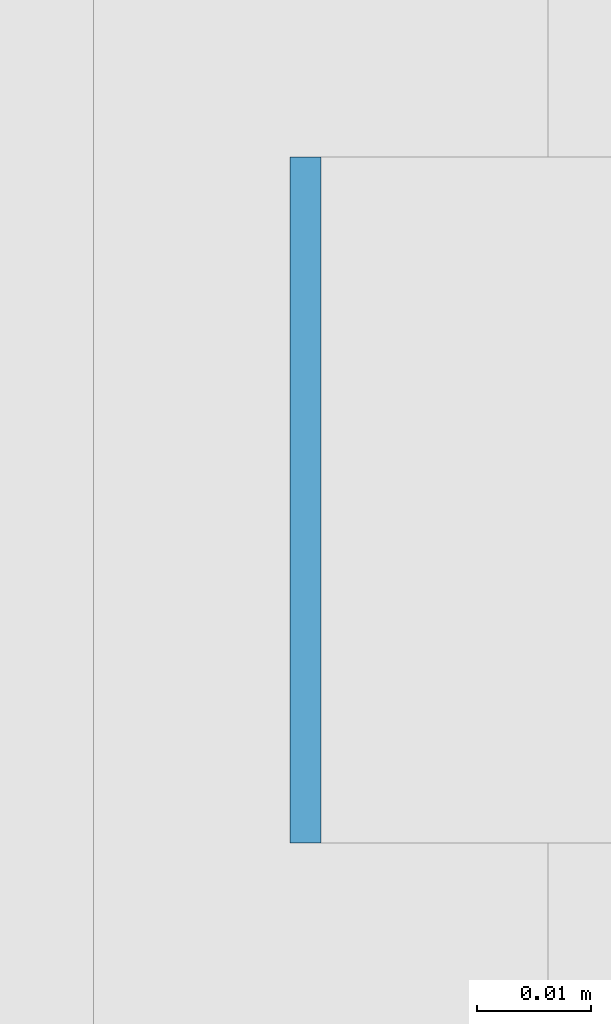
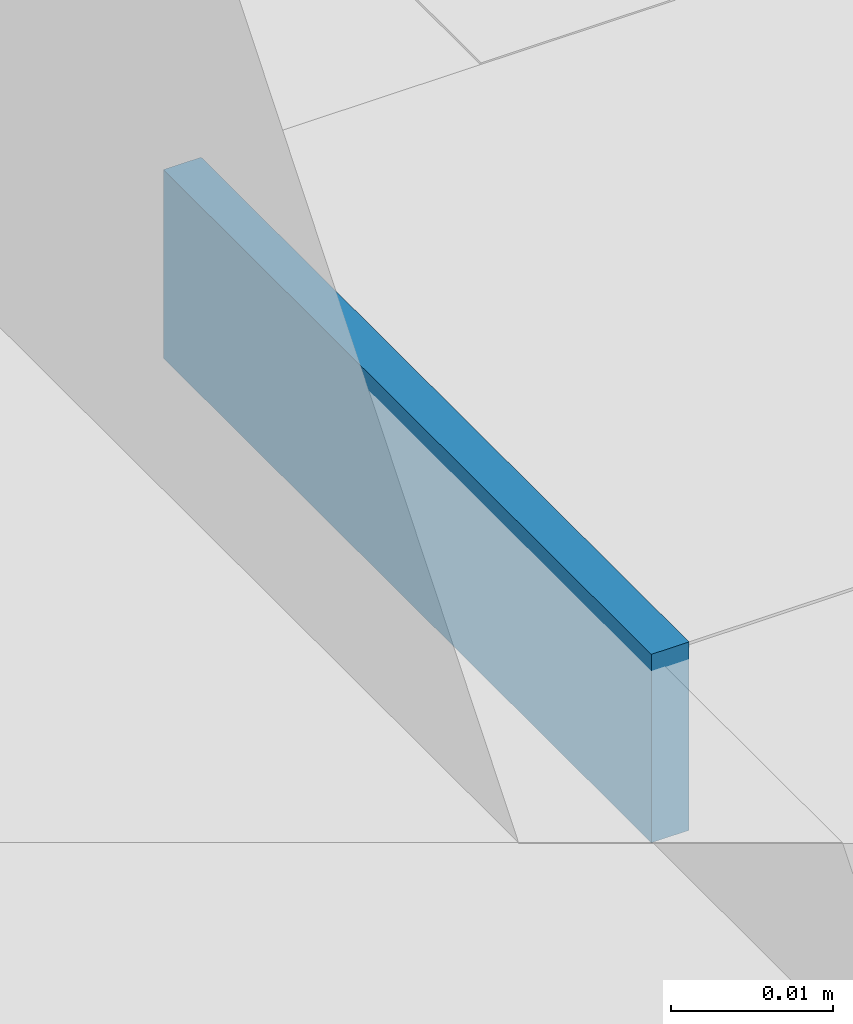
# One storey, part 551 of 646: 1 discrete accessory.
"""IFC4 building model written with IfcOpenShell, lengths in metres."""

from ifc_helpers import new_model, si_unit, direction, frame, origin, origin_2d, place, context, subcontext, project, spatial, rectangle, extrude, material, type_object, element, save


model = new_model("IFC4")

# Units and contexts
model_context = context("Model", 3, precision=1e-05, world=origin(), true_north=direction((0.0, 1.0)))
body_context = subcontext(model_context, "Body", "Model", "MODEL_VIEW")
ifc_project = project(units=[si_unit("LENGTHUNIT", "METRE"), si_unit("AREAUNIT", "SQUARE_METRE"), si_unit("VOLUMEUNIT", "CUBIC_METRE"), si_unit("PLANEANGLEUNIT", "RADIAN"), si_unit("MASSUNIT", "GRAM", prefix="KILO")], contexts=[model_context])

# Site, building, storey
site_placement = place(None, origin())
site = spatial("IfcSite", under=ifc_project, at=site_placement, CompositionType="ELEMENT")
building_placement = place(site_placement, origin())
building = spatial("IfcBuilding", under=site, at=building_placement, Name="Silverbay Arena", CompositionType="ELEMENT")
storey_placement = place(building_placement, frame((0.0, 0.0, 33.5)))
storey = spatial("IfcBuildingStorey", under=building, at=storey_placement, Name="L05", CompositionType="ELEMENT", Elevation=33.5)

# Discrete accessory
ifc_material = material(Name="Steel S355", Category="steel")
discrete_accessory_type = type_object("IfcDiscreteAccessoryType", Name="Steel bracket plate", PredefinedType="BRACKET", material=ifc_material)
discrete_accessory_placement = place(storey_placement, frame((207.128662109375, 96.428466796875, 12.98583984375), z_axis=(0.0, 0.0, 1.0), x_axis=(1.0, 0.0, 0.0)))
element("IfcDiscreteAccessory", 1, at=discrete_accessory_placement, inside=storey, type_object=discrete_accessory_type, Name="Curtain wall packing plate", PredefinedType="BRACKET", context=body_context, shape_type="SweptSolid", body=[
    extrude(rectangle(XDim=0.002685546875, YDim=0.06005859375, at=origin_2d()), origin(), (0.0, 0.0, 1.0), 0.01416015625),
])

save(model, "model.ifc")
